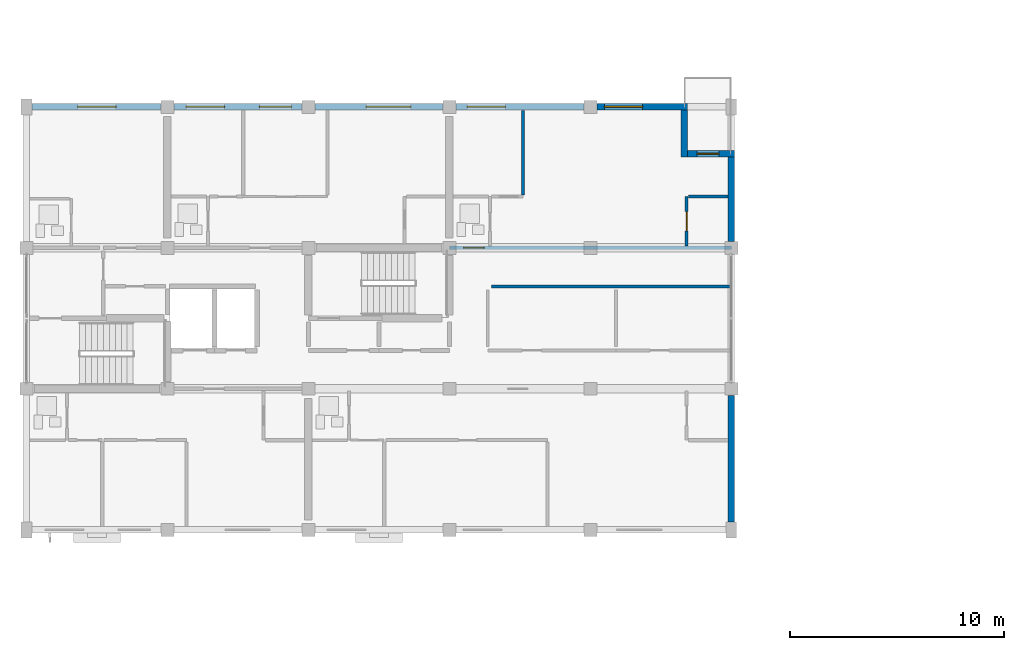
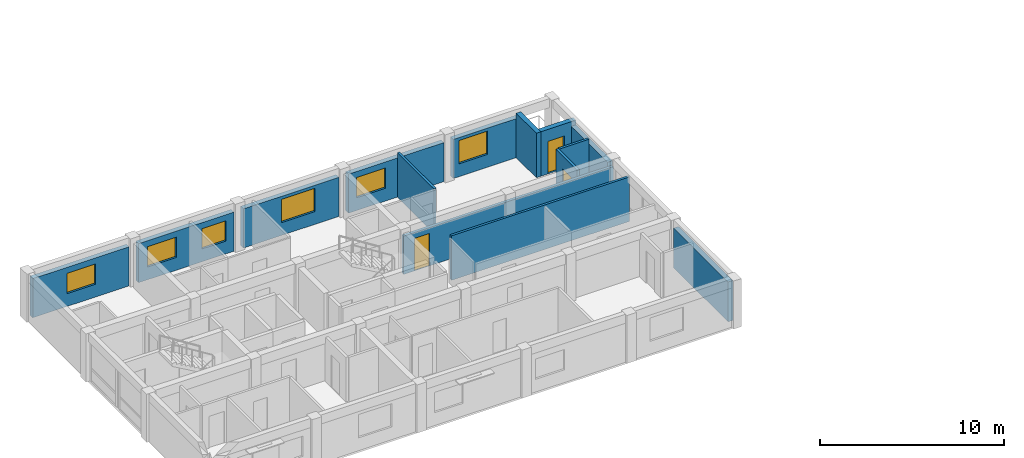
# One storey, part 35 of 52: 14 walls, 6 windows, 3 doors, 9 openings.
"""IFC4 building model written with IfcOpenShell, lengths in metres."""

from ifc_helpers import new_model, si_unit, direction, frame, frame_2d, origin, place, context, subcontext, project, spatial, rectangle, extrude, material, layer, layer_set, type_object, element, fill, save


model = new_model("IFC4")

# Units and contexts
model_context = context("Model", 3, precision=1e-05, world=origin(), true_north=direction((0.0, 1.0)))
body_context = subcontext(model_context, "Body", "Model", "MODEL_VIEW")
ifc_project = project(units=[si_unit("LENGTHUNIT", "METRE"), si_unit("AREAUNIT", "SQUARE_METRE"), si_unit("VOLUMEUNIT", "CUBIC_METRE"), si_unit("PLANEANGLEUNIT", "RADIAN"), si_unit("MASSUNIT", "GRAM", prefix="KILO")], contexts=[model_context])

# Site, building, storey
site_placement = place(None, origin())
site = spatial("IfcSite", under=ifc_project, at=site_placement, CompositionType="ELEMENT")
building_placement = place(site_placement, origin())
building = spatial("IfcBuilding", under=site, at=building_placement, Name="Kernevlak Ridge Housing Community", CompositionType="ELEMENT")
storey_placement = place(building_placement, frame((0.0, 0.0, 11.60009765625)))
storey = spatial("IfcBuildingStorey", under=building, at=storey_placement, Name="L03", CompositionType="ELEMENT", Elevation=11.60009765625)

# Wall, opening, window
ifc_material_1 = material(Name="Concrete block masonry M10", Category="masonry")
ifc_layer_1 = layer(ifc_material_1, 0.300048828125, Name="Concrete block masonry M10")
ifc_layer_set_1 = layer_set([ifc_layer_1], Name="Concrete block masonry M10")
wall_type_1 = type_object("IfcWallType", Name="EW-01", PredefinedType="STANDARD", material=ifc_layer_set_1)
wall_1_placement = place(storey_placement, frame((15.85009765625, 95.800048828125, 0.0), z_axis=(0.0, 0.0, 1.0), x_axis=(1.0, 0.0, 0.0)))
wall_1 = element("IfcWall", 1, at=wall_1_placement, inside=storey, type_object=wall_type_1, Name="Exterior wall EW-01 L03 50", PredefinedType="STANDARD", context=body_context, shape_type="SweptSolid", body=[
    extrude(rectangle(XDim=6.0498046875, YDim=0.300048828125, at=frame_2d((3.02490234375, 0.0))), origin(), (0.0, 0.0, 1.0), 2.599853515625),
])
opening_1_placement = place(wall_1_placement, frame((2.14990234375, 0.0, 0.85009765625)))
opening_1 = element("IfcOpeningElement", 2, at=opening_1_placement, cuts=wall_1, Name="Opening WT-03", PredefinedType="OPENING", context=body_context, shape_type="SweptSolid", body=[
    extrude(rectangle(XDim=1.800048828125, YDim=1.35009765625, at=frame_2d((0.89990234375, 0.675048828125))), frame((0.0, 0.159912109375, 0.0), z_axis=(0.0, -1.0, 0.0), x_axis=(1.0, 0.0, 0.0)), (0.0, 0.0, 1.0), 0.320068359375),
])
ifc_material_2 = material(Name="Aluminium EN AW-6060 anodised and laminated glass", Category="aluminium")
window_type_1 = type_object("IfcWindowType", Name="WT-03", PartitioningType="SINGLE_PANEL", PredefinedType="WINDOW", material=ifc_material_2)
window_1_placement = place(opening_1_placement, origin())
window_1 = element("IfcWindow", 3, at=window_1_placement, inside=storey, type_object=window_type_1, Name="Window WT-03 L03 39", OverallHeight=1.35009765625, OverallWidth=1.800048828125, PartitioningType="SINGLE_PANEL", PredefinedType="WINDOW", context=body_context, shape_type="SweptSolid", body=[
    extrude(rectangle(XDim=1.800048828125, YDim=1.35009765625, at=frame_2d((0.89990234375, 0.675048828125))), frame((0.0, 0.030029296875, 0.0), z_axis=(0.0, -1.0, 0.0), x_axis=(1.0, 0.0, 0.0)), (0.0, 0.0, 1.0), 0.06005859375),
])
fill(opening_1, window_1)

# Wall, openings, windows
wall_2_placement = place(storey_placement, frame((22.5, 95.800048828125, 0.0), z_axis=(0.0, 0.0, 1.0), x_axis=(1.0, 0.0, 0.0)))
wall_2 = element("IfcWall", 4, at=wall_2_placement, inside=storey, type_object=wall_type_1, Name="Exterior wall EW-01 L03 51", PredefinedType="STANDARD", context=body_context, shape_type="SweptSolid", body=[
    extrude(rectangle(XDim=6.0, YDim=0.300048828125, at=frame_2d((3.0, 0.0))), origin(), (0.0, 0.0, 1.0), 2.599853515625),
])
opening_2_placement = place(wall_2_placement, frame((0.574951171875, 0.0, 0.85009765625)))
opening_2 = element("IfcOpeningElement", 5, at=opening_2_placement, cuts=wall_2, Name="Opening WT-03", PredefinedType="OPENING", context=body_context, shape_type="SweptSolid", body=[
    extrude(rectangle(XDim=1.800048828125, YDim=1.35009765625, at=frame_2d((0.89990234375, 0.675048828125))), frame((0.0, 0.159912109375, 0.0), z_axis=(0.0, -1.0, 0.0), x_axis=(1.0, 0.0, 0.0)), (0.0, 0.0, 1.0), 0.320068359375),
])
opening_3_placement = place(wall_2_placement, frame((4.0, 0.0, 0.85009765625)))
opening_3 = element("IfcOpeningElement", 6, at=opening_3_placement, cuts=wall_2, Name="Opening WT-02", PredefinedType="OPENING", context=body_context, shape_type="SweptSolid", body=[
    extrude(rectangle(XDim=1.5, YDim=1.35009765625, at=frame_2d((0.75, 0.675048828125))), frame((0.0, 0.159912109375, 0.0), z_axis=(0.0, -1.0, 0.0), x_axis=(1.0, 0.0, 0.0)), (0.0, 0.0, 1.0), 0.320068359375),
])
window_type_2 = type_object("IfcWindowType", Name="WT-02", PartitioningType="SINGLE_PANEL", PredefinedType="WINDOW", material=ifc_material_2)
window_2_placement = place(opening_3_placement, origin())
window_2 = element("IfcWindow", 7, at=window_2_placement, inside=storey, type_object=window_type_2, Name="Window WT-02 L03 41", OverallHeight=1.35009765625, OverallWidth=1.5, PartitioningType="SINGLE_PANEL", PredefinedType="WINDOW", context=body_context, shape_type="SweptSolid", body=[
    extrude(rectangle(XDim=1.5, YDim=1.35009765625, at=frame_2d((0.75, 0.675048828125))), frame((0.0, 0.030029296875, 0.0), z_axis=(0.0, -1.0, 0.0), x_axis=(1.0, 0.0, 0.0)), (0.0, 0.0, 1.0), 0.06005859375),
])
fill(opening_3, window_2)
window_3_placement = place(opening_2_placement, origin())
window_3 = element("IfcWindow", 8, at=window_3_placement, inside=storey, type_object=window_type_1, Name="Window WT-03 L03 40", OverallHeight=1.35009765625, OverallWidth=1.800048828125, PartitioningType="SINGLE_PANEL", PredefinedType="WINDOW", context=body_context, shape_type="SweptSolid", body=[
    extrude(rectangle(XDim=1.800048828125, YDim=1.35009765625, at=frame_2d((0.89990234375, 0.675048828125))), frame((0.0, 0.030029296875, 0.0), z_axis=(0.0, -1.0, 0.0), x_axis=(1.0, 0.0, 0.0)), (0.0, 0.0, 1.0), 0.06005859375),
])
fill(opening_2, window_3)

# Wall, opening, window
wall_3_placement = place(storey_placement, frame((29.10009765625, 95.800048828125, 0.0), z_axis=(0.0, 0.0, 1.0), x_axis=(1.0, 0.0, 0.0)))
wall_3 = element("IfcWall", 9, at=wall_3_placement, inside=storey, type_object=wall_type_1, Name="Exterior wall EW-01 L03 52", PredefinedType="STANDARD", context=body_context, shape_type="SweptSolid", body=[
    extrude(rectangle(XDim=6.0, YDim=0.300048828125, at=frame_2d((3.0, 0.0))), origin(), (0.0, 0.0, 1.0), 2.599853515625),
])
opening_4_placement = place(wall_3_placement, frame((2.39599609375, 0.0, 0.85009765625)))
opening_4 = element("IfcOpeningElement", 10, at=opening_4_placement, cuts=wall_3, Name="Opening WT-05", PredefinedType="OPENING", context=body_context, shape_type="SweptSolid", body=[
    extrude(rectangle(XDim=2.10009765625, YDim=1.550048828125, at=frame_2d((1.050048828125, 0.77490234375))), frame((0.0, 0.159912109375, 0.0), z_axis=(0.0, -1.0, 0.0), x_axis=(1.0, 0.0, 0.0)), (0.0, 0.0, 1.0), 0.320068359375),
])
window_type_3 = type_object("IfcWindowType", Name="WT-05", PartitioningType="SINGLE_PANEL", PredefinedType="WINDOW", material=ifc_material_2)
window_4_placement = place(opening_4_placement, origin())
window_4 = element("IfcWindow", 11, at=window_4_placement, inside=storey, type_object=window_type_3, Name="Window WT-05 L03 42", OverallHeight=1.550048828125, OverallWidth=2.10009765625, PartitioningType="SINGLE_PANEL", PredefinedType="WINDOW", context=body_context, shape_type="SweptSolid", body=[
    extrude(rectangle(XDim=2.10009765625, YDim=1.550048828125, at=frame_2d((1.050048828125, 0.77490234375))), frame((0.0, 0.030029296875, 0.0), z_axis=(0.0, -1.0, 0.0), x_axis=(1.0, 0.0, 0.0)), (0.0, 0.0, 1.0), 0.06005859375),
])
fill(opening_4, window_4)

wall_4_placement = place(storey_placement, frame((35.699951171875, 95.800048828125, 0.0), z_axis=(0.0, 0.0, 1.0), x_axis=(1.0, 0.0, 0.0)))
wall_4 = element("IfcWall", 12, at=wall_4_placement, inside=storey, type_object=wall_type_1, Name="Exterior wall EW-01 L03 53", PredefinedType="STANDARD", context=body_context, shape_type="SweptSolid", body=[
    extrude(rectangle(XDim=6.0, YDim=0.300048828125, at=frame_2d((3.0, 0.0))), origin(), (0.0, 0.0, 1.0), 2.599853515625),
])
opening_5_placement = place(wall_4_placement, frame((0.52490234375, 0.0, 0.85009765625)))
opening_5 = element("IfcOpeningElement", 13, at=opening_5_placement, cuts=wall_4, Name="Opening WT-03", PredefinedType="OPENING", context=body_context, shape_type="SweptSolid", body=[
    extrude(rectangle(XDim=1.800048828125, YDim=1.35009765625, at=frame_2d((0.89990234375, 0.675048828125))), frame((0.0, 0.159912109375, 0.0), z_axis=(0.0, -1.0, 0.0), x_axis=(1.0, 0.0, 0.0)), (0.0, 0.0, 1.0), 0.320068359375),
])
window_5_placement = place(opening_5_placement, origin())
window_5 = element("IfcWindow", 14, at=window_5_placement, inside=storey, type_object=window_type_1, Name="Window WT-03 L03 43", OverallHeight=1.35009765625, OverallWidth=1.800048828125, PartitioningType="SINGLE_PANEL", PredefinedType="WINDOW", context=body_context, shape_type="SweptSolid", body=[
    extrude(rectangle(XDim=1.800048828125, YDim=1.35009765625, at=frame_2d((0.89990234375, 0.675048828125))), frame((0.0, 0.030029296875, 0.0), z_axis=(0.0, -1.0, 0.0), x_axis=(1.0, 0.0, 0.0)), (0.0, 0.0, 1.0), 0.06005859375),
])
fill(opening_5, window_5)

wall_5_placement = place(storey_placement, frame((42.300048828125, 95.800048828125, 0.0), z_axis=(0.0, 0.0, 1.0), x_axis=(1.0, 0.0, 0.0)))
wall_5 = element("IfcWall", 15, at=wall_5_placement, inside=storey, type_object=wall_type_1, Name="Exterior wall EW-01 L03 54", PredefinedType="STANDARD", context=body_context, shape_type="SweptSolid", body=[
    extrude(rectangle(XDim=4.25, YDim=0.300048828125, at=frame_2d((2.125, 0.0))), origin(), (0.0, 0.0, 1.0), 2.599853515625),
])
opening_6_placement = place(wall_5_placement, frame((0.35009765625, 0.0, 0.85009765625)))
opening_6 = element("IfcOpeningElement", 16, at=opening_6_placement, cuts=wall_5, Name="Opening WT-04", PredefinedType="OPENING", context=body_context, shape_type="SweptSolid", body=[
    extrude(rectangle(XDim=1.800048828125, YDim=1.550048828125, at=frame_2d((0.89990234375, 0.77490234375))), frame((0.0, 0.159912109375, 0.0), z_axis=(0.0, -1.0, 0.0), x_axis=(1.0, 0.0, 0.0)), (0.0, 0.0, 1.0), 0.320068359375),
])
window_type_4 = type_object("IfcWindowType", Name="WT-04", PartitioningType="SINGLE_PANEL", PredefinedType="WINDOW", material=ifc_material_2)
window_6_placement = place(opening_6_placement, origin())
window_6 = element("IfcWindow", 17, at=window_6_placement, inside=storey, type_object=window_type_4, Name="Window WT-04 L03 44", OverallHeight=1.550048828125, OverallWidth=1.800048828125, PartitioningType="SINGLE_PANEL", PredefinedType="WINDOW", context=body_context, shape_type="SweptSolid", body=[
    extrude(rectangle(XDim=1.800048828125, YDim=1.550048828125, at=frame_2d((0.89990234375, 0.77490234375))), frame((0.0, 0.030029296875, 0.0), z_axis=(0.0, -1.0, 0.0), x_axis=(1.0, 0.0, 0.0)), (0.0, 0.0, 1.0), 0.06005859375),
])
fill(opening_6, window_6)

# Wall
wall_6_placement = place(storey_placement, frame((46.39990234375, 95.64990234375, 0.0), z_axis=(0.0, 0.0, 1.0), x_axis=(0.0, -1.0, 0.0)))
element("IfcWall", 18, at=wall_6_placement, inside=storey, type_object=wall_type_1, Name="Exterior wall EW-01 L03 55", PredefinedType="STANDARD", context=body_context, shape_type="SweptSolid", body=[
    extrude(rectangle(XDim=2.199951171875, YDim=0.300048828125, at=frame_2d((1.10009765625, 0.0))), origin(), (0.0, 0.0, 1.0), 2.9599609375),
])

# Wall, opening, door
wall_7_placement = place(storey_placement, frame((46.550048828125, 93.60009765625, 0.0), z_axis=(0.0, 0.0, 1.0), x_axis=(1.0, 0.0, 0.0)))
wall_7 = element("IfcWall", 19, at=wall_7_placement, inside=storey, type_object=wall_type_1, Name="Exterior wall EW-01 L03 56", PredefinedType="STANDARD", context=body_context, shape_type="SweptSolid", body=[
    extrude(rectangle(XDim=2.199951171875, YDim=0.300048828125, at=frame_2d((1.10009765625, 0.0))), origin(), (0.0, 0.0, 1.0), 2.9599609375),
])
opening_7_placement = place(wall_7_placement, frame((0.43994140625, 0.0, 0.0)))
opening_7 = element("IfcOpeningElement", 20, at=opening_7_placement, cuts=wall_7, Name="Opening D125", PredefinedType="OPENING", context=body_context, shape_type="SweptSolid", body=[
    extrude(rectangle(XDim=1.02001953125, YDim=2.159912109375, at=frame_2d((0.510009765625, 1.080078125))), frame((0.0, 0.159912109375, 0.0), z_axis=(0.0, -1.0, 0.0), x_axis=(1.0, 0.0, 0.0)), (0.0, 0.0, 1.0), 0.320068359375),
])
ifc_material_3 = material(Name="Aluminium EN AW-6060 and laminated safety glass", Category="aluminium")
door_type_1 = type_object("IfcDoorType", Name="DT-33", OperationType="NOTDEFINED", PredefinedType="DOOR", material=ifc_material_3)
door_1_placement = place(opening_7_placement, origin())
door_1 = element("IfcDoor", 21, at=door_1_placement, inside=storey, type_object=door_type_1, Name="Flat A0323 corner balcony glazed door D125", OperationType="SINGLE_SWING_LEFT", OverallHeight=2.159912109375, OverallWidth=1.02001953125, PredefinedType="DOOR", context=body_context, shape_type="SweptSolid", body=[
    extrude(rectangle(XDim=1.02001953125, YDim=2.159912109375, at=frame_2d((0.510009765625, 1.080078125))), frame((0.0, 0.02490234375, 0.0), z_axis=(0.0, -1.0, 0.0), x_axis=(1.0, 0.0, 0.0)), (0.0, 0.0, 1.0), 0.050048828125),
])
fill(opening_7, door_1)

# Walls
wall_8_placement = place(storey_placement, frame((48.60009765625, 76.375, 0.0), z_axis=(0.0, 0.0, 1.0), x_axis=(0.0, 1.0, 0.0)))
element("IfcWall", 22, at=wall_8_placement, inside=storey, type_object=wall_type_1, Name="Exterior wall EW-01 L03 59", PredefinedType="STANDARD", context=body_context, shape_type="SweptSolid", body=[
    extrude(rectangle(XDim=5.925048828125, YDim=0.300048828125, at=frame_2d((2.96240234375, 0.0))), origin(), (0.0, 0.0, 1.0), 2.64990234375),
])
wall_9_placement = place(storey_placement, frame((48.60009765625, 89.5, 0.0), z_axis=(0.0, 0.0, 1.0), x_axis=(0.0, 1.0, 0.0)))
element("IfcWall", 23, at=wall_9_placement, inside=storey, type_object=wall_type_1, Name="Exterior wall EW-01 L03 60", PredefinedType="STANDARD", context=body_context, shape_type="SweptSolid", body=[
    extrude(rectangle(XDim=3.949951171875, YDim=0.300048828125, at=frame_2d((1.97509765625, 0.0))), origin(), (0.0, 0.0, 1.0), 2.64990234375),
])

# Wall, opening, door
ifc_layer_2 = layer(ifc_material_1, 0.175048828125, Name="Concrete block masonry M10")
ifc_layer_set_2 = layer_set([ifc_layer_2], Name="Concrete block masonry M10")
wall_type_2 = type_object("IfcWallType", Name="PW-02", PredefinedType="PARTITIONING", material=ifc_layer_set_2)
wall_10_placement = place(storey_placement, frame((35.39990234375, 89.199951171875, 0.0), z_axis=(0.0, 0.0, 1.0), x_axis=(1.0, 0.0, 0.0)))
wall_10 = element("IfcWall", 24, at=wall_10_placement, inside=storey, type_object=wall_type_2, Name="Interior wall PW-02 WAL-INT-L03-0243", PredefinedType="PARTITIONING", context=body_context, shape_type="SweptSolid", body=[
    extrude(rectangle(XDim=13.2001953125, YDim=0.175048828125, at=frame_2d((6.60009765625, 0.0))), origin(), (0.0, 0.0, 1.0), 2.5498046875),
])
opening_8_placement = place(wall_10_placement, frame((0.669921875, 0.0, 0.0)))
opening_8 = element("IfcOpeningElement", 25, at=opening_8_placement, cuts=wall_10, Name="Opening D121", PredefinedType="OPENING", context=body_context, shape_type="SweptSolid", body=[
    extrude(rectangle(XDim=0.949951171875, YDim=2.159912109375, at=frame_2d((0.47509765625, 1.080078125))), frame((0.0, 0.097412109375, 0.0), z_axis=(0.0, -1.0, 0.0), x_axis=(1.0, 0.0, 0.0)), (0.0, 0.0, 1.0), 0.195068359375),
])
ifc_material_4 = material(Name="Hardwood timber solid-core fire leaf", Category="wood")
door_type_2 = type_object("IfcDoorType", Name="DT-02", OperationType="NOTDEFINED", PredefinedType="DOOR", material=ifc_material_4)
door_2_placement = place(opening_8_placement, origin())
door_2 = element("IfcDoor", 26, at=door_2_placement, inside=storey, type_object=door_type_2, Name="Flat A0323 entrance fire door D121", OperationType="SINGLE_SWING_LEFT", OverallHeight=2.159912109375, OverallWidth=0.949951171875, PredefinedType="DOOR", context=body_context, shape_type="SweptSolid", body=[
    extrude(rectangle(XDim=0.949951171875, YDim=2.159912109375, at=frame_2d((0.47509765625, 1.080078125))), frame((0.0, 0.02490234375, 0.0), z_axis=(0.0, -1.0, 0.0), x_axis=(1.0, 0.0, 0.0)), (0.0, 0.0, 1.0), 0.050048828125),
])
fill(opening_8, door_2)

# Walls
ifc_layer_3 = layer(ifc_material_1, 0.14501953125, Name="Concrete block masonry M10")
ifc_layer_set_3 = layer_set([ifc_layer_3], Name="Concrete block masonry M10")
wall_type_3 = type_object("IfcWallType", Name="PW-03", PredefinedType="PARTITIONING", material=ifc_layer_set_3)
wall_11_placement = place(storey_placement, frame((37.3798828125, 87.39990234375, 0.0), z_axis=(0.0, 0.0, 1.0), x_axis=(1.0, 0.0, 0.0)))
element("IfcWall", 27, at=wall_11_placement, inside=storey, type_object=wall_type_3, Name="Interior wall PW-03 WAL-INT-L03-0210", PredefinedType="PARTITIONING", context=body_context, shape_type="SweptSolid", body=[
    extrude(rectangle(XDim=11.2001953125, YDim=0.14501953125, at=frame_2d((5.60009765625, 0.0))), origin(), (0.0, 0.0, 1.0), 2.9599609375),
])
wall_12_placement = place(storey_placement, frame((38.85009765625, 91.6826171875, 0.0), z_axis=(0.0, 0.0, 1.0), x_axis=(0.0, 1.0, 0.0)))
element("IfcWall", 28, at=wall_12_placement, inside=storey, type_object=wall_type_3, Name="Interior wall PW-03 WAL-INT-L03-0249", PredefinedType="PARTITIONING", context=body_context, shape_type="SweptSolid", body=[
    extrude(rectangle(XDim=3.957275390625, YDim=0.14501953125, at=frame_2d((1.978515625, 0.0))), origin(), (0.0, 0.0, 1.0), 2.9599609375),
])

# Wall, opening, door
ifc_material_5 = material(Name="Gypsum plasterboard EN 520", Category="gypsum")
ifc_layer_4 = layer(ifc_material_5, 0.155029296875, Name="Gypsum plasterboard EN 520")
ifc_layer_set_4 = layer_set([ifc_layer_4], Name="Gypsum plasterboard EN 520")
wall_type_4 = type_object("IfcWallType", Name="PW-05", PredefinedType="PARTITIONING", material=ifc_layer_set_4)
wall_13_placement = place(storey_placement, frame((46.5, 89.297607421875, 0.0), z_axis=(0.0, 0.0, 1.0), x_axis=(0.0, 1.0, 0.0)))
wall_13 = element("IfcWall", 29, at=wall_13_placement, inside=storey, type_object=wall_type_4, Name="Interior wall PW-05 WAL-INT-L03-0246", PredefinedType="PARTITIONING", context=body_context, shape_type="SweptSolid", body=[
    extrude(rectangle(XDim=2.302490234375, YDim=0.155029296875, at=frame_2d((1.1513671875, 0.0))), origin(), (0.0, 0.0, 1.0), 2.9599609375),
])
opening_9_placement = place(wall_13_placement, frame((0.699951171875, 0.0, 0.0)))
opening_9 = element("IfcOpeningElement", 30, at=opening_9_placement, cuts=wall_13, Name="Opening D123", PredefinedType="OPENING", context=body_context, shape_type="SweptSolid", body=[
    extrude(rectangle(XDim=0.89990234375, YDim=2.10009765625, at=frame_2d((0.449951171875, 1.050048828125))), frame((0.0, 0.08740234375, 0.0), z_axis=(0.0, -1.0, 0.0), x_axis=(1.0, 0.0, 0.0)), (0.0, 0.0, 1.0), 0.175048828125),
])
ifc_material_6 = material(Name="Hardwood timber leaf", Category="wood")
door_type_3 = type_object("IfcDoorType", Name="DT-21", OperationType="NOTDEFINED", PredefinedType="DOOR", material=ifc_material_6)
door_3_placement = place(opening_9_placement, origin())
door_3 = element("IfcDoor", 31, at=door_3_placement, inside=storey, type_object=door_type_3, Name="Flat A0323 kitchen door D123", OperationType="SINGLE_SWING_LEFT", OverallHeight=2.10009765625, OverallWidth=0.89990234375, PredefinedType="DOOR", context=body_context, shape_type="SweptSolid", body=[
    extrude(rectangle(XDim=0.89990234375, YDim=2.10009765625, at=frame_2d((0.449951171875, 1.050048828125))), frame((0.0, 0.02490234375, 0.0), z_axis=(0.0, -1.0, 0.0), x_axis=(1.0, 0.0, 0.0)), (0.0, 0.0, 1.0), 0.050048828125),
])
fill(opening_9, door_3)

# Wall
wall_14_placement = place(storey_placement, frame((46.58740234375, 91.60009765625, 0.0), z_axis=(0.0, 0.0, 1.0), x_axis=(1.0, 0.0, 0.0)))
element("IfcWall", 32, at=wall_14_placement, inside=storey, type_object=wall_type_4, Name="Interior wall PW-05 WAL-INT-L03-0247", PredefinedType="PARTITIONING", context=body_context, shape_type="SweptSolid", body=[
    extrude(rectangle(XDim=1.8525390625, YDim=0.155029296875, at=frame_2d((0.92626953125, 0.0))), origin(), (0.0, 0.0, 1.0), 2.9599609375),
])

save(model, "model.ifc")
